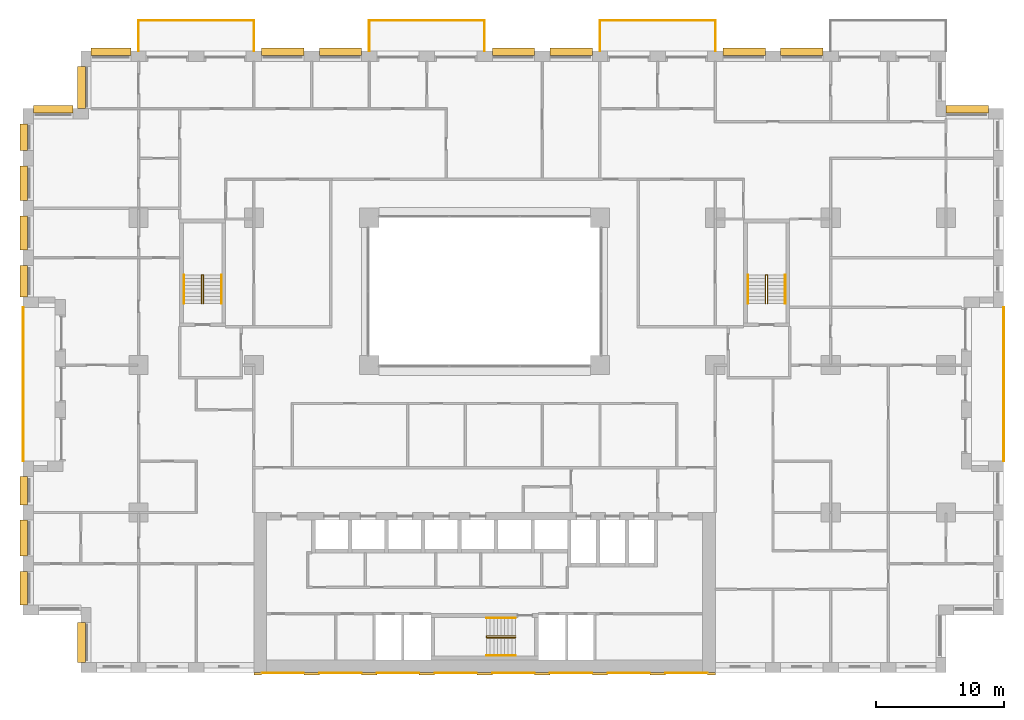
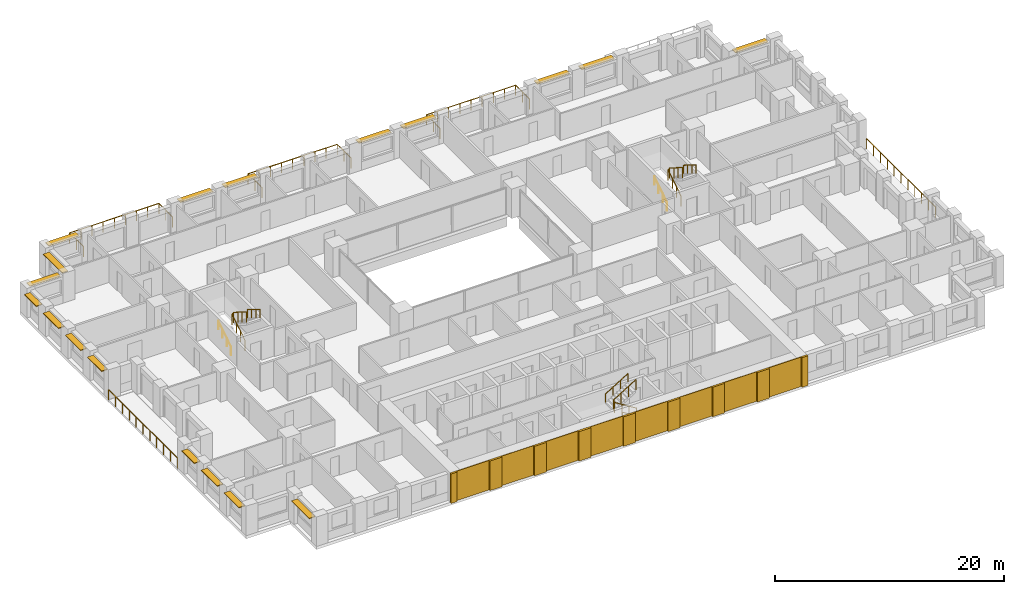
# One storey, part 20 of 21: 18 shading devices, 17 coverings, 14 railings.
"""IFC4 building model written with IfcOpenShell, lengths in metres."""

from ifc_helpers import new_model, si_unit, direction, frame, origin, origin_2d, place, context, subcontext, project, spatial, rectangle, circle, extrude, material, layer, layer_set, type_object, element, save


model = new_model("IFC4")

# Units and contexts
model_context = context("Model", 3, precision=1e-05, world=origin(), true_north=direction((0.0, 1.0)))
body_context = subcontext(model_context, "Body", "Model", "MODEL_VIEW")
ifc_project = project(units=[si_unit("LENGTHUNIT", "METRE"), si_unit("AREAUNIT", "SQUARE_METRE"), si_unit("VOLUMEUNIT", "CUBIC_METRE"), si_unit("PLANEANGLEUNIT", "RADIAN"), si_unit("MASSUNIT", "GRAM", prefix="KILO")], contexts=[model_context])

# Site, building, storey
site_placement = place(None, origin())
site = spatial("IfcSite", under=ifc_project, at=site_placement, CompositionType="ELEMENT")
building_placement = place(site_placement, origin())
building = spatial("IfcBuilding", under=site, at=building_placement, Name="Brigalow Station Residences", CompositionType="ELEMENT")
storey_placement = place(building_placement, frame((0.0, 0.0, 51.0)))
storey = spatial("IfcBuildingStorey", under=building, at=storey_placement, Name="L14", CompositionType="ELEMENT", Elevation=51.0)

# Railings
ifc_material_1 = material(Name="Stainless steel balustrade with laminated glass infill", Category="steel")
railing_type_1 = type_object("IfcRailingType", Name="BALCONY GUARD 1100", PredefinedType="GUARDRAIL", material=ifc_material_1)
railing_1_placement = place(storey_placement, frame((76.5, 16.5, -0.0400390625)))
element("IfcRailing", 1, at=railing_1_placement, inside=storey, type_object=railing_type_1, Name="L14/balcony-guard/1", PredefinedType="GUARDRAIL", context=body_context, shape_type="SweptSolid", body=[
    extrude(circle(Radius=0.02392578125, at=origin_2d()), frame((0.0, 0.0, 1.076171875), z_axis=(0.0, 1.0, 0.0), x_axis=(-1.0, 0.0, 0.0)), (0.0, 0.0, 1.0), 12.0),
    extrude(circle(Radius=0.02099609375, at=origin_2d()), origin(), (0.0, 0.0, 1.0), 1.052001953125),
    extrude(circle(Radius=0.02099609375, at=origin_2d()), frame((0.0, 1.199951171875, 0.0)), (0.0, 0.0, 1.0), 1.052001953125),
    extrude(circle(Radius=0.02099609375, at=origin_2d()), frame((0.0, 2.39990234375, 0.0)), (0.0, 0.0, 1.0), 1.052001953125),
    extrude(circle(Radius=0.02099609375, at=origin_2d()), frame((0.0, 3.60009765625, 0.0)), (0.0, 0.0, 1.0), 1.052001953125),
    extrude(circle(Radius=0.02099609375, at=origin_2d()), frame((0.0, 4.800048828125, 0.0)), (0.0, 0.0, 1.0), 1.052001953125),
    extrude(circle(Radius=0.02099609375, at=origin_2d()), frame((0.0, 6.0, 0.0)), (0.0, 0.0, 1.0), 1.052001953125),
    extrude(circle(Radius=0.02099609375, at=origin_2d()), frame((0.0, 7.199951171875, 0.0)), (0.0, 0.0, 1.0), 1.052001953125),
    extrude(circle(Radius=0.02099609375, at=origin_2d()), frame((0.0, 8.39990234375, 0.0)), (0.0, 0.0, 1.0), 1.052001953125),
    extrude(circle(Radius=0.02099609375, at=origin_2d()), frame((0.0, 9.60009765625, 0.0)), (0.0, 0.0, 1.0), 1.052001953125),
    extrude(circle(Radius=0.02099609375, at=origin_2d()), frame((0.0, 10.800048828125, 0.0)), (0.0, 0.0, 1.0), 1.052001953125),
    extrude(circle(Radius=0.02099609375, at=origin_2d()), frame((0.0, 12.0, 0.0)), (0.0, 0.0, 1.0), 1.052001953125),
])
railing_2_placement = place(storey_placement, frame((54.0, 48.5, -0.0400390625)))
element("IfcRailing", 2, at=railing_2_placement, inside=storey, type_object=railing_type_1, Name="L14/balcony-guard/3", PredefinedType="GUARDRAIL", context=body_context, shape_type="SweptSolid", body=[
    extrude(circle(Radius=0.02392578125, at=origin_2d()), frame((0.0, 0.0, 1.076171875), z_axis=(0.0, 1.0, 0.0), x_axis=(-1.0, 0.0, 0.0)), (0.0, 0.0, 1.0), 2.39990234375),
    extrude(circle(Radius=0.02392578125, at=origin_2d()), frame((0.0, 2.39990234375, 1.076171875), z_axis=(-1.0, 0.0, 0.0), x_axis=(0.0, -1.0, 0.0)), (0.0, 0.0, 1.0), 9.0),
    extrude(circle(Radius=0.02392578125, at=origin_2d()), frame((-9.0, 2.39990234375, 1.076171875), z_axis=(0.0, -1.0, 0.0), x_axis=(1.0, 0.0, 0.0)), (0.0, 0.0, 1.0), 2.39990234375),
    extrude(circle(Radius=0.02099609375, at=origin_2d()), origin(), (0.0, 0.0, 1.0), 1.052001953125),
    extrude(circle(Radius=0.02099609375, at=origin_2d()), frame((0.0, 1.199951171875, 0.0)), (0.0, 0.0, 1.0), 1.052001953125),
    extrude(circle(Radius=0.02099609375, at=origin_2d()), frame((0.0, 2.39990234375, 0.0)), (0.0, 0.0, 1.0), 1.052001953125),
    extrude(circle(Radius=0.02099609375, at=origin_2d()), frame((-1.125, 2.39990234375, 0.0)), (0.0, 0.0, 1.0), 1.052001953125),
    extrude(circle(Radius=0.02099609375, at=origin_2d()), frame((-2.25, 2.39990234375, 0.0)), (0.0, 0.0, 1.0), 1.052001953125),
    extrude(circle(Radius=0.02099609375, at=origin_2d()), frame((-3.375, 2.39990234375, 0.0)), (0.0, 0.0, 1.0), 1.052001953125),
    extrude(circle(Radius=0.02099609375, at=origin_2d()), frame((-4.5, 2.39990234375, 0.0)), (0.0, 0.0, 1.0), 1.052001953125),
    extrude(circle(Radius=0.02099609375, at=origin_2d()), frame((-5.625, 2.39990234375, 0.0)), (0.0, 0.0, 1.0), 1.052001953125),
    extrude(circle(Radius=0.02099609375, at=origin_2d()), frame((-6.75, 2.39990234375, 0.0)), (0.0, 0.0, 1.0), 1.052001953125),
    extrude(circle(Radius=0.02099609375, at=origin_2d()), frame((-7.875, 2.39990234375, 0.0)), (0.0, 0.0, 1.0), 1.052001953125),
    extrude(circle(Radius=0.02099609375, at=origin_2d()), frame((-9.0, 2.39990234375, 0.0)), (0.0, 0.0, 1.0), 1.052001953125),
    extrude(circle(Radius=0.02099609375, at=origin_2d()), frame((-9.0, 1.199951171875, 0.0)), (0.0, 0.0, 1.0), 1.052001953125),
    extrude(circle(Radius=0.02099609375, at=origin_2d()), frame((-9.0, 0.0, 0.0)), (0.0, 0.0, 1.0), 1.052001953125),
])
railing_3_placement = place(storey_placement, frame((36.0, 48.5, -0.0400390625)))
element("IfcRailing", 3, at=railing_3_placement, inside=storey, type_object=railing_type_1, Name="L14/balcony-guard/4", PredefinedType="GUARDRAIL", context=body_context, shape_type="SweptSolid", body=[
    extrude(circle(Radius=0.02392578125, at=origin_2d()), frame((0.0, 0.0, 1.076171875), z_axis=(0.0, 1.0, 0.0), x_axis=(-1.0, 0.0, 0.0)), (0.0, 0.0, 1.0), 2.39990234375),
    extrude(circle(Radius=0.02392578125, at=origin_2d()), frame((0.0, 2.39990234375, 1.076171875), z_axis=(-1.0, 0.0, 0.0), x_axis=(0.0, -1.0, 0.0)), (0.0, 0.0, 1.0), 9.0),
    extrude(circle(Radius=0.02392578125, at=origin_2d()), frame((-9.0, 2.39990234375, 1.076171875), z_axis=(0.0, -1.0, 0.0), x_axis=(1.0, 0.0, 0.0)), (0.0, 0.0, 1.0), 2.39990234375),
    extrude(circle(Radius=0.02099609375, at=origin_2d()), origin(), (0.0, 0.0, 1.0), 1.052001953125),
    extrude(circle(Radius=0.02099609375, at=origin_2d()), frame((0.0, 1.199951171875, 0.0)), (0.0, 0.0, 1.0), 1.052001953125),
    extrude(circle(Radius=0.02099609375, at=origin_2d()), frame((0.0, 2.39990234375, 0.0)), (0.0, 0.0, 1.0), 1.052001953125),
    extrude(circle(Radius=0.02099609375, at=origin_2d()), frame((-1.125, 2.39990234375, 0.0)), (0.0, 0.0, 1.0), 1.052001953125),
    extrude(circle(Radius=0.02099609375, at=origin_2d()), frame((-2.25, 2.39990234375, 0.0)), (0.0, 0.0, 1.0), 1.052001953125),
    extrude(circle(Radius=0.02099609375, at=origin_2d()), frame((-3.375, 2.39990234375, 0.0)), (0.0, 0.0, 1.0), 1.052001953125),
    extrude(circle(Radius=0.02099609375, at=origin_2d()), frame((-4.5, 2.39990234375, 0.0)), (0.0, 0.0, 1.0), 1.052001953125),
    extrude(circle(Radius=0.02099609375, at=origin_2d()), frame((-5.625, 2.39990234375, 0.0)), (0.0, 0.0, 1.0), 1.052001953125),
    extrude(circle(Radius=0.02099609375, at=origin_2d()), frame((-6.75, 2.39990234375, 0.0)), (0.0, 0.0, 1.0), 1.052001953125),
    extrude(circle(Radius=0.02099609375, at=origin_2d()), frame((-7.875, 2.39990234375, 0.0)), (0.0, 0.0, 1.0), 1.052001953125),
    extrude(circle(Radius=0.02099609375, at=origin_2d()), frame((-9.0, 2.39990234375, 0.0)), (0.0, 0.0, 1.0), 1.052001953125),
    extrude(circle(Radius=0.02099609375, at=origin_2d()), frame((-9.0, 1.199951171875, 0.0)), (0.0, 0.0, 1.0), 1.052001953125),
    extrude(circle(Radius=0.02099609375, at=origin_2d()), frame((-9.0, 0.0, 0.0)), (0.0, 0.0, 1.0), 1.052001953125),
])
railing_4_placement = place(storey_placement, frame((18.0, 48.5, -0.0400390625)))
element("IfcRailing", 4, at=railing_4_placement, inside=storey, type_object=railing_type_1, Name="L14/balcony-guard/5", PredefinedType="GUARDRAIL", context=body_context, shape_type="SweptSolid", body=[
    extrude(circle(Radius=0.02392578125, at=origin_2d()), frame((0.0, 0.0, 1.076171875), z_axis=(0.0, 1.0, 0.0), x_axis=(-1.0, 0.0, 0.0)), (0.0, 0.0, 1.0), 2.39990234375),
    extrude(circle(Radius=0.02392578125, at=origin_2d()), frame((0.0, 2.39990234375, 1.076171875), z_axis=(-1.0, 0.0, 0.0), x_axis=(0.0, -1.0, 0.0)), (0.0, 0.0, 1.0), 9.0),
    extrude(circle(Radius=0.02392578125, at=origin_2d()), frame((-9.0, 2.39990234375, 1.076171875), z_axis=(0.0, -1.0, 0.0), x_axis=(1.0, 0.0, 0.0)), (0.0, 0.0, 1.0), 2.39990234375),
    extrude(circle(Radius=0.02099609375, at=origin_2d()), origin(), (0.0, 0.0, 1.0), 1.052001953125),
    extrude(circle(Radius=0.02099609375, at=origin_2d()), frame((0.0, 1.199951171875, 0.0)), (0.0, 0.0, 1.0), 1.052001953125),
    extrude(circle(Radius=0.02099609375, at=origin_2d()), frame((0.0, 2.39990234375, 0.0)), (0.0, 0.0, 1.0), 1.052001953125),
    extrude(circle(Radius=0.02099609375, at=origin_2d()), frame((-1.125, 2.39990234375, 0.0)), (0.0, 0.0, 1.0), 1.052001953125),
    extrude(circle(Radius=0.02099609375, at=origin_2d()), frame((-2.25, 2.39990234375, 0.0)), (0.0, 0.0, 1.0), 1.052001953125),
    extrude(circle(Radius=0.02099609375, at=origin_2d()), frame((-3.375, 2.39990234375, 0.0)), (0.0, 0.0, 1.0), 1.052001953125),
    extrude(circle(Radius=0.02099609375, at=origin_2d()), frame((-4.5, 2.39990234375, 0.0)), (0.0, 0.0, 1.0), 1.052001953125),
    extrude(circle(Radius=0.02099609375, at=origin_2d()), frame((-5.625, 2.39990234375, 0.0)), (0.0, 0.0, 1.0), 1.052001953125),
    extrude(circle(Radius=0.02099609375, at=origin_2d()), frame((-6.75, 2.39990234375, 0.0)), (0.0, 0.0, 1.0), 1.052001953125),
    extrude(circle(Radius=0.02099609375, at=origin_2d()), frame((-7.875, 2.39990234375, 0.0)), (0.0, 0.0, 1.0), 1.052001953125),
    extrude(circle(Radius=0.02099609375, at=origin_2d()), frame((-9.0, 2.39990234375, 0.0)), (0.0, 0.0, 1.0), 1.052001953125),
    extrude(circle(Radius=0.02099609375, at=origin_2d()), frame((-9.0, 1.199951171875, 0.0)), (0.0, 0.0, 1.0), 1.052001953125),
    extrude(circle(Radius=0.02099609375, at=origin_2d()), frame((-9.0, 0.0, 0.0)), (0.0, 0.0, 1.0), 1.052001953125),
])
railing_5_placement = place(storey_placement, frame((0.0, 28.5, -0.0400390625)))
element("IfcRailing", 5, at=railing_5_placement, inside=storey, type_object=railing_type_1, Name="L14/balcony-guard/6", PredefinedType="GUARDRAIL", context=body_context, shape_type="SweptSolid", body=[
    extrude(circle(Radius=0.02392578125, at=origin_2d()), frame((0.0, 0.0, 1.076171875), z_axis=(0.0, -1.0, 0.0), x_axis=(1.0, 0.0, 0.0)), (0.0, 0.0, 1.0), 12.0),
    extrude(circle(Radius=0.02099609375, at=origin_2d()), origin(), (0.0, 0.0, 1.0), 1.052001953125),
    extrude(circle(Radius=0.02099609375, at=origin_2d()), frame((0.0, -1.199951171875, 0.0)), (0.0, 0.0, 1.0), 1.052001953125),
    extrude(circle(Radius=0.02099609375, at=origin_2d()), frame((0.0, -2.39990234375, 0.0)), (0.0, 0.0, 1.0), 1.052001953125),
    extrude(circle(Radius=0.02099609375, at=origin_2d()), frame((0.0, -3.60009765625, 0.0)), (0.0, 0.0, 1.0), 1.052001953125),
    extrude(circle(Radius=0.02099609375, at=origin_2d()), frame((0.0, -4.800048828125, 0.0)), (0.0, 0.0, 1.0), 1.052001953125),
    extrude(circle(Radius=0.02099609375, at=origin_2d()), frame((0.0, -6.0, 0.0)), (0.0, 0.0, 1.0), 1.052001953125),
    extrude(circle(Radius=0.02099609375, at=origin_2d()), frame((0.0, -7.199951171875, 0.0)), (0.0, 0.0, 1.0), 1.052001953125),
    extrude(circle(Radius=0.02099609375, at=origin_2d()), frame((0.0, -8.39990234375, 0.0)), (0.0, 0.0, 1.0), 1.052001953125),
    extrude(circle(Radius=0.02099609375, at=origin_2d()), frame((0.0, -9.60009765625, 0.0)), (0.0, 0.0, 1.0), 1.052001953125),
    extrude(circle(Radius=0.02099609375, at=origin_2d()), frame((0.0, -10.800048828125, 0.0)), (0.0, 0.0, 1.0), 1.052001953125),
    extrude(circle(Radius=0.02099609375, at=origin_2d()), frame((0.0, -12.0, 0.0)), (0.0, 0.0, 1.0), 1.052001953125),
])

# Coverings
ifc_material_2 = material(Name="Clay brick masonry", Category="masonry")
ifc_layer_1 = layer(ifc_material_2, 0.06005859375)
ifc_layer_set_1 = layer_set([ifc_layer_1], Name="BRICK PANEL FACING 60")
covering_type_1 = type_object("IfcCoveringType", Name="BRICK PANEL FACING 60", PredefinedType="CLADDING", material=ifc_layer_set_1)
for number, where, z_axis, x_axis, name in (
    (6, (20.25, -0.030029296875, 0.0), (0.0, 0.0, 1.0), (1.0, 0.0, 0.0), "L14/rear-facing/panel-1"),
    (7, (24.75, -0.030029296875, 0.0), (0.0, 0.0, 1.0), (1.0, 0.0, 0.0), "L14/rear-facing/panel-2"),
    (8, (29.25, -0.030029296875, 0.0), (0.0, 0.0, 1.0), (1.0, 0.0, 0.0), "L14/rear-facing/panel-3"),
    (9, (33.75, -0.030029296875, 0.0), (0.0, 0.0, 1.0), (1.0, 0.0, 0.0), "L14/rear-facing/panel-4"),
    (10, (38.25, -0.030029296875, 0.0), (0.0, 0.0, 1.0), (1.0, 0.0, 0.0), "L14/rear-facing/panel-5"),
    (11, (42.75, -0.030029296875, 0.0), (0.0, 0.0, 1.0), (1.0, 0.0, 0.0), "L14/rear-facing/panel-6"),
    (12, (47.25, -0.030029296875, 0.0), (0.0, 0.0, 1.0), (1.0, 0.0, 0.0), "L14/rear-facing/panel-7"),
    (13, (51.75, -0.030029296875, 0.0), (0.0, 0.0, 1.0), (1.0, 0.0, 0.0), "L14/rear-facing/panel-8"),
):
    element("IfcCovering", number, at=place(storey_placement, frame(where, z_axis=z_axis, x_axis=x_axis)), inside=storey, type_object=covering_type_1, Name=name, PredefinedType="CLADDING", context=body_context, shape_type="SweptSolid", body=[
        extrude(rectangle(XDim=3.300048828125, YDim=0.06005859375, at=origin_2d()), origin(), (0.0, 0.0, 1.0), 3.14990234375),
    ])
ifc_material_3 = material(Name="Clay brick masonry", Category="masonry")
ifc_layer_2 = layer(ifc_material_3, 0.199951171875)
ifc_layer_set_2 = layer_set([ifc_layer_2], Name="BRICK PIER FACING 200")
covering_type_2 = type_object("IfcCoveringType", Name="BRICK PIER FACING 200", PredefinedType="CLADDING", material=ifc_layer_set_2)
covering_1_placement = place(storey_placement, frame((18.300048828125, -0.10009765625, 0.0), z_axis=(0.0, 0.0, 1.0), x_axis=(1.0, 0.0, 0.0)))
element("IfcCovering", 14, at=covering_1_placement, inside=storey, type_object=covering_type_2, Name="L14/rear-facing/pier-1", PredefinedType="CLADDING", context=body_context, shape_type="SweptSolid", body=[
    extrude(rectangle(XDim=0.60009765625, YDim=0.199951171875, at=origin_2d()), origin(), (0.0, 0.0, 1.0), 3.14990234375),
])
for number, where, z_axis, x_axis, name in (
    (15, (22.5, -0.10009765625, 0.0), (0.0, 0.0, 1.0), (1.0, 0.0, 0.0), "L14/rear-facing/pier-2"),
    (16, (27.0, -0.10009765625, 0.0), (0.0, 0.0, 1.0), (1.0, 0.0, 0.0), "L14/rear-facing/pier-3"),
    (17, (31.5, -0.10009765625, 0.0), (0.0, 0.0, 1.0), (1.0, 0.0, 0.0), "L14/rear-facing/pier-4"),
    (18, (36.0, -0.10009765625, 0.0), (0.0, 0.0, 1.0), (1.0, 0.0, 0.0), "L14/rear-facing/pier-5"),
    (19, (40.5, -0.10009765625, 0.0), (0.0, 0.0, 1.0), (1.0, 0.0, 0.0), "L14/rear-facing/pier-6"),
    (20, (45.0, -0.10009765625, 0.0), (0.0, 0.0, 1.0), (1.0, 0.0, 0.0), "L14/rear-facing/pier-7"),
    (21, (49.5, -0.10009765625, 0.0), (0.0, 0.0, 1.0), (1.0, 0.0, 0.0), "L14/rear-facing/pier-8"),
):
    element("IfcCovering", number, at=place(storey_placement, frame(where, z_axis=z_axis, x_axis=x_axis)), inside=storey, type_object=covering_type_2, Name=name, PredefinedType="CLADDING", context=body_context, shape_type="SweptSolid", body=[
        extrude(rectangle(XDim=1.199951171875, YDim=0.199951171875, at=origin_2d()), origin(), (0.0, 0.0, 1.0), 3.14990234375),
    ])
covering_2_placement = place(storey_placement, frame((53.699951171875, -0.10009765625, 0.0), z_axis=(0.0, 0.0, 1.0), x_axis=(1.0, 0.0, 0.0)))
element("IfcCovering", 22, at=covering_2_placement, inside=storey, type_object=covering_type_2, Name="L14/rear-facing/pier-9", PredefinedType="CLADDING", context=body_context, shape_type="SweptSolid", body=[
    extrude(rectangle(XDim=0.60009765625, YDim=0.199951171875, at=origin_2d()), origin(), (0.0, 0.0, 1.0), 3.14990234375),
])

# Railings
ifc_material_4 = material(Name="Stainless steel balustrade", Category="steel")
railing_type_2 = type_object("IfcRailingType", Name="STAIR GUARD 1100", PredefinedType="GUARDRAIL", material=ifc_material_4)
railing_6_placement = place(storey_placement, frame((38.39990234375, 2.72998046875, 0.175048828125)))
element("IfcRailing", 23, at=railing_6_placement, inside=storey, type_object=railing_type_2, Name="GUARD GR-2", PredefinedType="GUARDRAIL", context=body_context, shape_type="SweptSolid", body=[
    extrude(circle(Radius=0.02392578125, at=origin_2d()), frame((0.0, 0.0, 1.076171875), z_axis=(-0.848013881152, 0.0, 0.529974015752), x_axis=(0.0, -1.0, 0.0)), (0.0, 0.0, 1.0), 2.641357421875),
    extrude(circle(Radius=0.02392578125, at=origin_2d()), frame((-2.239990234375, 0.0, 2.47607421875), z_axis=(0.0, 0.624960567888, 0.780656319122), x_axis=(-1.0, 0.0, 0.0)), (0.0, 0.0, 1.0), 0.22412109375),
    extrude(circle(Radius=0.02392578125, at=origin_2d()), frame((-2.239990234375, 0.14013671875, 2.65087890625), z_axis=(0.848013881152, 0.0, 0.529974015752), x_axis=(0.0, 1.0, 0.0)), (0.0, 0.0, 1.0), 2.641357421875),
    extrude(circle(Radius=0.02099609375, at=origin_2d()), origin(), (0.0, 0.0, 1.0), 1.052001953125),
    extrude(circle(Radius=0.02099609375, at=origin_2d()), frame((-0.74658203125, 0.0, 0.466552734375)), (0.0, 0.0, 1.0), 1.052001953125),
    extrude(circle(Radius=0.02099609375, at=origin_2d()), frame((-1.493408203125, 0.0, 0.933349609375)), (0.0, 0.0, 1.0), 1.052001953125),
    extrude(circle(Radius=0.02099609375, at=origin_2d()), frame((-2.239990234375, 0.0, 1.39990234375)), (0.0, 0.0, 1.0), 1.052001953125),
    extrude(circle(Radius=0.02099609375, at=origin_2d()), frame((-2.239990234375, 0.14013671875, 1.574951171875)), (0.0, 0.0, 1.0), 1.052001953125),
    extrude(circle(Radius=0.02099609375, at=origin_2d()), frame((-1.493408203125, 0.14013671875, 2.04150390625)), (0.0, 0.0, 1.0), 1.052001953125),
    extrude(circle(Radius=0.02099609375, at=origin_2d()), frame((-0.74658203125, 0.14013671875, 2.50830078125)), (0.0, 0.0, 1.0), 1.052001953125),
    extrude(circle(Radius=0.02099609375, at=origin_2d()), frame((0.0, 0.14013671875, 2.974853515625)), (0.0, 0.0, 1.0), 1.052001953125),
])
for number, where, name in (
    (24, (13.929931640625, 28.800048828125, 0.175048828125), "GUARD GR-1"),
    (25, (57.929931640625, 28.800048828125, 0.175048828125), "GUARD GR-3"),
):
    element("IfcRailing", number, at=place(storey_placement, frame(where)), inside=storey, type_object=railing_type_2, Name=name, PredefinedType="GUARDRAIL", context=body_context, shape_type="SweptSolid", body=[
        extrude(circle(Radius=0.02392578125, at=origin_2d()), frame((0.0, 0.0, 1.076171875), z_axis=(0.0, 0.848013881152, 0.529974015752), x_axis=(-1.0, 0.0, 0.0)), (0.0, 0.0, 1.0), 2.641357421875),
        extrude(circle(Radius=0.02392578125, at=origin_2d()), frame((0.0, 2.239990234375, 2.47607421875), z_axis=(0.624960567888, 0.0, 0.780656319122), x_axis=(0.0, 1.0, 0.0)), (0.0, 0.0, 1.0), 0.22412109375),
        extrude(circle(Radius=0.02392578125, at=origin_2d()), frame((0.14013671875, 2.239990234375, 2.65087890625), z_axis=(0.0, -0.848013881152, 0.529974015752), x_axis=(1.0, 0.0, 0.0)), (0.0, 0.0, 1.0), 2.641357421875),
        extrude(circle(Radius=0.02099609375, at=origin_2d()), origin(), (0.0, 0.0, 1.0), 1.052001953125),
        extrude(circle(Radius=0.02099609375, at=origin_2d()), frame((0.0, 0.74658203125, 0.466552734375)), (0.0, 0.0, 1.0), 1.052001953125),
        extrude(circle(Radius=0.02099609375, at=origin_2d()), frame((0.0, 1.493408203125, 0.933349609375)), (0.0, 0.0, 1.0), 1.052001953125),
        extrude(circle(Radius=0.02099609375, at=origin_2d()), frame((0.0, 2.239990234375, 1.39990234375)), (0.0, 0.0, 1.0), 1.052001953125),
        extrude(circle(Radius=0.02099609375, at=origin_2d()), frame((0.14013671875, 2.239990234375, 1.574951171875)), (0.0, 0.0, 1.0), 1.052001953125),
        extrude(circle(Radius=0.02099609375, at=origin_2d()), frame((0.14013671875, 1.493408203125, 2.04150390625)), (0.0, 0.0, 1.0), 1.052001953125),
        extrude(circle(Radius=0.02099609375, at=origin_2d()), frame((0.14013671875, 0.74658203125, 2.50830078125)), (0.0, 0.0, 1.0), 1.052001953125),
        extrude(circle(Radius=0.02099609375, at=origin_2d()), frame((0.14013671875, 0.0, 2.974853515625)), (0.0, 0.0, 1.0), 1.052001953125),
    ])
ifc_material_5 = material(Name="Stainless steel handrail", Category="steel")
railing_type_3 = type_object("IfcRailingType", Name="STAIR HANDRAIL 900", PredefinedType="HANDRAIL", material=ifc_material_5)
railing_7_placement = place(storey_placement, frame((38.39990234375, 1.340087890625, 0.175048828125)))
element("IfcRailing", 26, at=railing_7_placement, inside=storey, type_object=railing_type_3, Name="HANDRAIL HR-21", PredefinedType="HANDRAIL", context=body_context, shape_type="SweptSolid", body=[
    extrude(circle(Radius=0.02392578125, at=origin_2d()), frame((0.0, 0.0, 0.8759765625), z_axis=(-0.848013881152, 0.0, 0.529974015752), x_axis=(0.0, -1.0, 0.0)), (0.0, 0.0, 1.0), 2.641357421875),
    extrude(circle(Radius=0.02099609375, at=origin_2d()), origin(), (0.0, 0.0, 1.0), 0.851806640625),
    extrude(circle(Radius=0.02099609375, at=origin_2d()), frame((-0.74658203125, 0.0, 0.466552734375)), (0.0, 0.0, 1.0), 0.851806640625),
    extrude(circle(Radius=0.02099609375, at=origin_2d()), frame((-1.493408203125, 0.0, 0.933349609375)), (0.0, 0.0, 1.0), 0.851806640625),
    extrude(circle(Radius=0.02099609375, at=origin_2d()), frame((-2.239990234375, 0.0, 1.39990234375)), (0.0, 0.0, 1.0), 0.851806640625),
])
railing_8_placement = place(storey_placement, frame((36.159912109375, 4.260009765625, 1.75)))
element("IfcRailing", 27, at=railing_8_placement, inside=storey, type_object=railing_type_3, Name="HANDRAIL HR-22", PredefinedType="HANDRAIL", context=body_context, shape_type="SweptSolid", body=[
    extrude(circle(Radius=0.02392578125, at=origin_2d()), frame((0.0, 0.0, 0.8759765625), z_axis=(0.848013881152, 0.0, 0.529974015752), x_axis=(0.0, 1.0, 0.0)), (0.0, 0.0, 1.0), 2.641357421875),
    extrude(circle(Radius=0.02099609375, at=origin_2d()), origin(), (0.0, 0.0, 1.0), 0.851806640625),
    extrude(circle(Radius=0.02099609375, at=origin_2d()), frame((0.74658203125, 0.0, 0.466552734375)), (0.0, 0.0, 1.0), 0.851806640625),
    extrude(circle(Radius=0.02099609375, at=origin_2d()), frame((1.493408203125, 0.0, 0.933349609375)), (0.0, 0.0, 1.0), 0.851806640625),
    extrude(circle(Radius=0.02099609375, at=origin_2d()), frame((2.239990234375, 0.0, 1.39990234375)), (0.0, 0.0, 1.0), 0.851806640625),
])
railing_9_placement = place(storey_placement, frame((12.5400390625, 28.800048828125, 0.175048828125)))
element("IfcRailing", 28, at=railing_9_placement, inside=storey, type_object=railing_type_3, Name="HANDRAIL HR-11", PredefinedType="HANDRAIL", context=body_context, shape_type="SweptSolid", body=[
    extrude(circle(Radius=0.02392578125, at=origin_2d()), frame((0.0, 0.0, 0.8759765625), z_axis=(0.0, 0.848013881152, 0.529974015752), x_axis=(-1.0, 0.0, 0.0)), (0.0, 0.0, 1.0), 2.641357421875),
    extrude(circle(Radius=0.02099609375, at=origin_2d()), origin(), (0.0, 0.0, 1.0), 0.851806640625),
    extrude(circle(Radius=0.02099609375, at=origin_2d()), frame((0.0, 0.74658203125, 0.466552734375)), (0.0, 0.0, 1.0), 0.851806640625),
    extrude(circle(Radius=0.02099609375, at=origin_2d()), frame((0.0, 1.493408203125, 0.933349609375)), (0.0, 0.0, 1.0), 0.851806640625),
    extrude(circle(Radius=0.02099609375, at=origin_2d()), frame((0.0, 2.239990234375, 1.39990234375)), (0.0, 0.0, 1.0), 0.851806640625),
])
railing_10_placement = place(storey_placement, frame((15.4599609375, 31.0400390625, 1.75)))
element("IfcRailing", 29, at=railing_10_placement, inside=storey, type_object=railing_type_3, Name="HANDRAIL HR-12", PredefinedType="HANDRAIL", context=body_context, shape_type="SweptSolid", body=[
    extrude(circle(Radius=0.02392578125, at=origin_2d()), frame((0.0, 0.0, 0.8759765625), z_axis=(0.0, -0.848013881152, 0.529974015752), x_axis=(1.0, 0.0, 0.0)), (0.0, 0.0, 1.0), 2.641357421875),
    extrude(circle(Radius=0.02099609375, at=origin_2d()), origin(), (0.0, 0.0, 1.0), 0.851806640625),
    extrude(circle(Radius=0.02099609375, at=origin_2d()), frame((0.0, -0.74658203125, 0.466552734375)), (0.0, 0.0, 1.0), 0.851806640625),
    extrude(circle(Radius=0.02099609375, at=origin_2d()), frame((0.0, -1.493408203125, 0.933349609375)), (0.0, 0.0, 1.0), 0.851806640625),
    extrude(circle(Radius=0.02099609375, at=origin_2d()), frame((0.0, -2.239990234375, 1.39990234375)), (0.0, 0.0, 1.0), 0.851806640625),
])
railing_11_placement = place(storey_placement, frame((56.5400390625, 28.800048828125, 0.175048828125)))
element("IfcRailing", 30, at=railing_11_placement, inside=storey, type_object=railing_type_3, Name="HANDRAIL HR-31", PredefinedType="HANDRAIL", context=body_context, shape_type="SweptSolid", body=[
    extrude(circle(Radius=0.02392578125, at=origin_2d()), frame((0.0, 0.0, 0.8759765625), z_axis=(0.0, 0.848013881152, 0.529974015752), x_axis=(-1.0, 0.0, 0.0)), (0.0, 0.0, 1.0), 2.641357421875),
    extrude(circle(Radius=0.02099609375, at=origin_2d()), origin(), (0.0, 0.0, 1.0), 0.851806640625),
    extrude(circle(Radius=0.02099609375, at=origin_2d()), frame((0.0, 0.74658203125, 0.466552734375)), (0.0, 0.0, 1.0), 0.851806640625),
    extrude(circle(Radius=0.02099609375, at=origin_2d()), frame((0.0, 1.493408203125, 0.933349609375)), (0.0, 0.0, 1.0), 0.851806640625),
    extrude(circle(Radius=0.02099609375, at=origin_2d()), frame((0.0, 2.239990234375, 1.39990234375)), (0.0, 0.0, 1.0), 0.851806640625),
])
railing_12_placement = place(storey_placement, frame((59.4599609375, 31.0400390625, 1.75)))
element("IfcRailing", 31, at=railing_12_placement, inside=storey, type_object=railing_type_3, Name="HANDRAIL HR-32", PredefinedType="HANDRAIL", context=body_context, shape_type="SweptSolid", body=[
    extrude(circle(Radius=0.02392578125, at=origin_2d()), frame((0.0, 0.0, 0.8759765625), z_axis=(0.0, -0.848013881152, 0.529974015752), x_axis=(1.0, 0.0, 0.0)), (0.0, 0.0, 1.0), 2.641357421875),
    extrude(circle(Radius=0.02099609375, at=origin_2d()), origin(), (0.0, 0.0, 1.0), 0.851806640625),
    extrude(circle(Radius=0.02099609375, at=origin_2d()), frame((0.0, -0.74658203125, 0.466552734375)), (0.0, 0.0, 1.0), 0.851806640625),
    extrude(circle(Radius=0.02099609375, at=origin_2d()), frame((0.0, -1.493408203125, 0.933349609375)), (0.0, 0.0, 1.0), 0.851806640625),
    extrude(circle(Radius=0.02099609375, at=origin_2d()), frame((0.0, -2.239990234375, 1.39990234375)), (0.0, 0.0, 1.0), 0.851806640625),
])

# Shading devices
ifc_material_6 = material(Name="Powder-coated extruded aluminium blade", Category="aluminium")
ifc_layer_3 = layer(ifc_material_6, 0.080078125)
ifc_layer_set_3 = layer_set([ifc_layer_3], Name="SUNSHADE BLADE 600x80")
shading_device_type = type_object("IfcShadingDeviceType", Name="SUNSHADE BLADE 600x80", PredefinedType="JALOUSIE", material=ifc_layer_set_3)
for number, where, z_axis, x_axis, name in (
    (32, (73.64990234375, 43.949951171875, 2.550048828125), (0.0, 0.0, 1.0), (-1.0, 0.0, 0.0), "L14/blade/W-L14-23"),
    (33, (60.75, 48.449951171875, 2.550048828125), (0.0, 0.0, 1.0), (-1.0, 0.0, 0.0), "L14/blade/W-L14-27"),
    (34, (56.25, 48.449951171875, 2.550048828125), (0.0, 0.0, 1.0), (-1.0, 0.0, 0.0), "L14/blade/W-L14-28"),
    (35, (42.75, 48.449951171875, 2.550048828125), (0.0, 0.0, 1.0), (-1.0, 0.0, 0.0), "L14/blade/W-L14-31"),
    (36, (38.25, 48.449951171875, 2.550048828125), (0.0, 0.0, 1.0), (-1.0, 0.0, 0.0), "L14/blade/W-L14-32"),
    (37, (24.75, 48.449951171875, 2.550048828125), (0.0, 0.0, 1.0), (-1.0, 0.0, 0.0), "L14/blade/W-L14-35"),
    (38, (20.25, 48.449951171875, 2.550048828125), (0.0, 0.0, 1.0), (-1.0, 0.0, 0.0), "L14/blade/W-L14-36"),
):
    element("IfcShadingDevice", number, at=place(storey_placement, frame(where, z_axis=z_axis, x_axis=x_axis)), inside=storey, type_object=shading_device_type, Name=name, PredefinedType="JALOUSIE", context=body_context, shape_type="SweptSolid", body=[
        extrude(rectangle(XDim=3.300048828125, YDim=0.60009765625, at=origin_2d()), origin(), (0.0, 0.0, 1.0), 0.080078125),
    ])
shading_device_1_placement = place(storey_placement, frame((6.85009765625, 48.449951171875, 2.550048828125), z_axis=(0.0, 0.0, 1.0), x_axis=(-1.0, 0.0, 0.0)))
element("IfcShadingDevice", 39, at=shading_device_1_placement, inside=storey, type_object=shading_device_type, Name="L14/blade/W-L14-39", PredefinedType="JALOUSIE", context=body_context, shape_type="SweptSolid", body=[
    extrude(rectangle(XDim=3.10009765625, YDim=0.60009765625, at=origin_2d()), origin(), (0.0, 0.0, 1.0), 0.080078125),
])
shading_device_2_placement = place(storey_placement, frame((4.550048828125, 45.64990234375, 2.550048828125), z_axis=(0.0, 0.0, 1.0), x_axis=(0.0, -1.0, 0.0)))
element("IfcShadingDevice", 40, at=shading_device_2_placement, inside=storey, type_object=shading_device_type, Name="L14/blade/W-L14-40", PredefinedType="JALOUSIE", context=body_context, shape_type="SweptSolid", body=[
    extrude(rectangle(XDim=3.300048828125, YDim=0.60009765625, at=origin_2d()), origin(), (0.0, 0.0, 1.0), 0.080078125),
])
shading_device_3_placement = place(storey_placement, frame((2.35009765625, 43.949951171875, 2.550048828125), z_axis=(0.0, 0.0, 1.0), x_axis=(-1.0, 0.0, 0.0)))
element("IfcShadingDevice", 41, at=shading_device_3_placement, inside=storey, type_object=shading_device_type, Name="L14/blade/W-L14-41", PredefinedType="JALOUSIE", context=body_context, shape_type="SweptSolid", body=[
    extrude(rectangle(XDim=3.10009765625, YDim=0.60009765625, at=origin_2d()), origin(), (0.0, 0.0, 1.0), 0.080078125),
])
shading_device_4_placement = place(storey_placement, frame((0.050048828125, 41.762451171875, 2.550048828125), z_axis=(0.0, 0.0, 1.0), x_axis=(0.0, -1.0, 0.0)))
element("IfcShadingDevice", 42, at=shading_device_4_placement, inside=storey, type_object=shading_device_type, Name="L14/blade/W-L14-42", PredefinedType="JALOUSIE", context=body_context, shape_type="SweptSolid", body=[
    extrude(rectangle(XDim=2.074951171875, YDim=0.60009765625, at=origin_2d()), origin(), (0.0, 0.0, 1.0), 0.080078125),
])
for number, where, z_axis, x_axis, name in (
    (43, (0.050048828125, 38.1875, 2.550048828125), (0.0, 0.0, 1.0), (0.0, -1.0, 0.0), "L14/blade/W-L14-43"),
    (44, (0.050048828125, 34.3125, 2.550048828125), (0.0, 0.0, 1.0), (0.0, -1.0, 0.0), "L14/blade/W-L14-44"),
):
    element("IfcShadingDevice", number, at=place(storey_placement, frame(where, z_axis=z_axis, x_axis=x_axis)), inside=storey, type_object=shading_device_type, Name=name, PredefinedType="JALOUSIE", context=body_context, shape_type="SweptSolid", body=[
        extrude(rectangle(XDim=2.675048828125, YDim=0.60009765625, at=origin_2d()), origin(), (0.0, 0.0, 1.0), 0.080078125),
    ])
shading_device_5_placement = place(storey_placement, frame((0.050048828125, 30.53759765625, 2.550048828125), z_axis=(0.0, 0.0, 1.0), x_axis=(0.0, -1.0, 0.0)))
element("IfcShadingDevice", 45, at=shading_device_5_placement, inside=storey, type_object=shading_device_type, Name="L14/blade/W-L14-45", PredefinedType="JALOUSIE", context=body_context, shape_type="SweptSolid", body=[
    extrude(rectangle(XDim=2.47509765625, YDim=0.60009765625, at=origin_2d()), origin(), (0.0, 0.0, 1.0), 0.080078125),
])
shading_device_6_placement = place(storey_placement, frame((0.050048828125, 14.199951171875, 2.550048828125), z_axis=(0.0, 0.0, 1.0), x_axis=(0.0, -1.0, 0.0)))
element("IfcShadingDevice", 46, at=shading_device_6_placement, inside=storey, type_object=shading_device_type, Name="L14/blade/W-L14-51", PredefinedType="JALOUSIE", context=body_context, shape_type="SweptSolid", body=[
    extrude(rectangle(XDim=2.199951171875, YDim=0.60009765625, at=origin_2d()), origin(), (0.0, 0.0, 1.0), 0.080078125),
])
shading_device_7_placement = place(storey_placement, frame((0.050048828125, 10.5, 2.550048828125), z_axis=(0.0, 0.0, 1.0), x_axis=(0.0, -1.0, 0.0)))
element("IfcShadingDevice", 47, at=shading_device_7_placement, inside=storey, type_object=shading_device_type, Name="L14/blade/W-L14-52", PredefinedType="JALOUSIE", context=body_context, shape_type="SweptSolid", body=[
    extrude(rectangle(XDim=2.800048828125, YDim=0.60009765625, at=origin_2d()), origin(), (0.0, 0.0, 1.0), 0.080078125),
])
shading_device_8_placement = place(storey_placement, frame((0.050048828125, 6.60009765625, 2.550048828125), z_axis=(0.0, 0.0, 1.0), x_axis=(0.0, -1.0, 0.0)))
element("IfcShadingDevice", 48, at=shading_device_8_placement, inside=storey, type_object=shading_device_type, Name="L14/blade/W-L14-53", PredefinedType="JALOUSIE", context=body_context, shape_type="SweptSolid", body=[
    extrude(rectangle(XDim=2.60009765625, YDim=0.60009765625, at=origin_2d()), origin(), (0.0, 0.0, 1.0), 0.080078125),
])
shading_device_9_placement = place(storey_placement, frame((4.550048828125, 2.35009765625, 2.550048828125), z_axis=(0.0, 0.0, 1.0), x_axis=(0.0, -1.0, 0.0)))
element("IfcShadingDevice", 49, at=shading_device_9_placement, inside=storey, type_object=shading_device_type, Name="L14/blade/W-L14-55", PredefinedType="JALOUSIE", context=body_context, shape_type="SweptSolid", body=[
    extrude(rectangle(XDim=3.10009765625, YDim=0.60009765625, at=origin_2d()), origin(), (0.0, 0.0, 1.0), 0.080078125),
])

save(model, "model.ifc")
